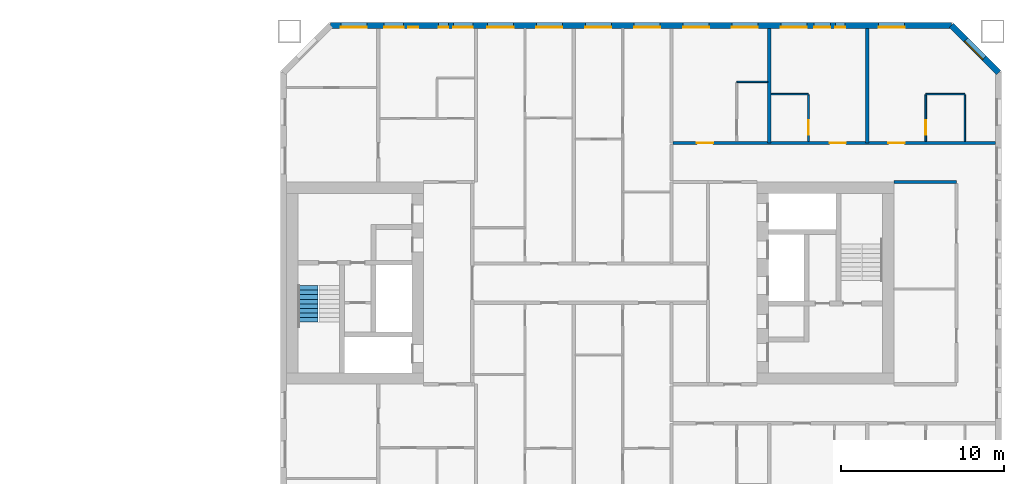
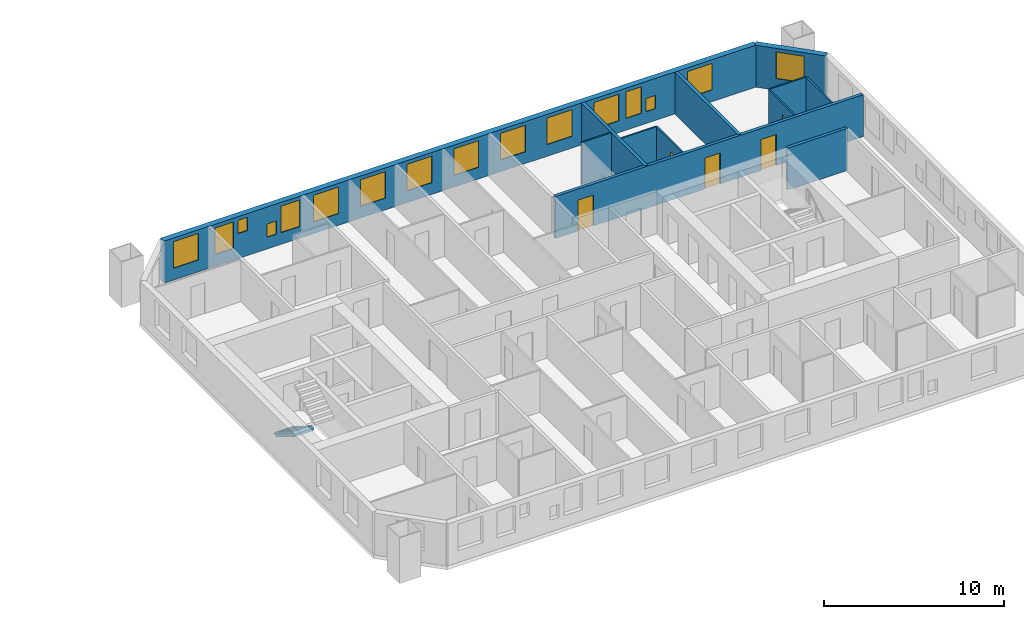
# One storey, part 14 of 17: 16 windows, 12 walls, 5 doors, 1 stair flight, 21 openings, 1 element without a shape of its own.
"""IFC4 building model written with IfcOpenShell, lengths in metres."""

from ifc_helpers import new_model, si_unit, direction, frame, frame_2d, origin, place, context, subcontext, project, spatial, polyline, rectangle, outline, extrude, material, layer, layer_set, type_object, element, fill, aggregate, save


model = new_model("IFC4")

# Units and contexts
model_context = context("Model", 3, precision=1e-05, world=origin(), true_north=direction((0.0, 1.0)))
body_context = subcontext(model_context, "Body", "Model", "MODEL_VIEW")
ifc_project = project(units=[si_unit("LENGTHUNIT", "METRE"), si_unit("AREAUNIT", "SQUARE_METRE"), si_unit("VOLUMEUNIT", "CUBIC_METRE"), si_unit("PLANEANGLEUNIT", "RADIAN"), si_unit("MASSUNIT", "GRAM", prefix="KILO")], contexts=[model_context])

# Site, building, storey
site_placement = place(None, origin())
site = spatial("IfcSite", under=ifc_project, at=site_placement, CompositionType="ELEMENT")
building_placement = place(site_placement, origin())
building = spatial("IfcBuilding", under=site, at=building_placement, Name="Tuart Gate Housing", CompositionType="ELEMENT")
storey_placement = place(building_placement, frame((0.0, 0.0, 74.699951171875)))
storey = spatial("IfcBuildingStorey", under=building, at=storey_placement, Name="L20", CompositionType="ELEMENT", Elevation=74.699951171875)

# Wall, opening, window
ifc_material_1 = material(Name="Brick", Category="masonry")
ifc_layer_1 = layer(ifc_material_1, 0.360107421875)
ifc_layer_set_1 = layer_set([ifc_layer_1], Name="Brick pier and spandrel wall 360")
wall_type_1 = type_object("IfcWallType", Name="Brick pier and spandrel wall 360", PredefinedType="STANDARD", material=ifc_layer_set_1)
wall_1_placement = place(storey_placement, frame((175.070068359375, 82.92529296875, 0.0), z_axis=(0.0, 0.0, 1.0), x_axis=(-0.707106781187, 0.707106781187, 0.0)))
wall_1 = element("IfcWall", 1, at=wall_1_placement, inside=storey, type_object=wall_type_1, Name="External wall B-NE L20", PredefinedType="STANDARD", context=body_context, shape_type="SweptSolid", body=[
    extrude(rectangle(XDim=4.09375, YDim=0.360107421875, at=frame_2d((2.046875, 0.0))), origin(), (0.0, 0.0, 1.0), 2.85009765625),
])
opening_1_placement = place(wall_1_placement, frame((1.2470703125, 0.0, 0.800048828125)))
opening_1 = element("IfcOpeningElement", 2, at=opening_1_placement, cuts=wall_1, Name="Opening W1", PredefinedType="OPENING", context=body_context, shape_type="SweptSolid", body=[
    extrude(rectangle(XDim=1.60009765625, YDim=1.800048828125, at=frame_2d((0.800048828125, 0.89990234375))), frame((0.0, 0.18994140625, 0.0), z_axis=(0.0, -1.0, 0.0), x_axis=(1.0, 0.0, 0.0)), (0.0, 0.0, 1.0), 0.380126953125),
])
ifc_material_2 = material(Name="Aluminium frame with clear glass", Category="aluminium")
window_type_1 = type_object("IfcWindowType", Name="Punched window 1600 x 1800", PartitioningType="SINGLE_PANEL", PredefinedType="WINDOW", material=ifc_material_2)
window_1_placement = place(opening_1_placement, origin())
window_1 = element("IfcWindow", 3, at=window_1_placement, inside=storey, type_object=window_type_1, Name="Window W1", OverallHeight=1.800048828125, OverallWidth=1.60009765625, PartitioningType="SINGLE_PANEL", PredefinedType="WINDOW", context=body_context, shape_type="SweptSolid", body=[
    extrude(rectangle(XDim=1.60009765625, YDim=1.800048828125, at=frame_2d((0.800048828125, 0.89990234375))), frame((0.0, 0.150146484375, 0.0), z_axis=(0.0, -1.0, 0.0), x_axis=(1.0, 0.0, 0.0)), (0.0, 0.0, 1.0), 0.06005859375),
])
fill(opening_1, window_1)

# Wall, openings, windows
wall_2_placement = place(storey_placement, frame((172.17529296875, 85.820068359375, 0.0), z_axis=(0.0, 0.0, 1.0), x_axis=(-1.0, 0.0, 0.0)))
wall_2 = element("IfcWall", 4, at=wall_2_placement, inside=storey, type_object=wall_type_1, Name="External wall B-N L20", PredefinedType="STANDARD", context=body_context, shape_type="SweptSolid", body=[
    extrude(rectangle(XDim=38.100830078125, YDim=0.360107421875, at=frame_2d((19.05029296875, 0.0))), origin(), (0.0, 0.0, 1.0), 2.85009765625),
])
opening_2_placement = place(wall_2_placement, frame((2.87548828125, 0.0, 0.800048828125)))
opening_2 = element("IfcOpeningElement", 5, at=opening_2_placement, cuts=wall_2, Name="Opening W1", PredefinedType="OPENING", context=body_context, shape_type="SweptSolid", body=[
    extrude(rectangle(XDim=1.60009765625, YDim=1.800048828125, at=frame_2d((0.800048828125, 0.89990234375))), frame((0.0, 0.18994140625, 0.0), z_axis=(0.0, -1.0, 0.0), x_axis=(1.0, 0.0, 0.0)), (0.0, 0.0, 1.0), 0.380126953125),
])
opening_3_placement = place(wall_2_placement, frame((6.525390625, 0.0, 0.800048828125)))
opening_3 = element("IfcOpeningElement", 6, at=opening_3_placement, cuts=wall_2, Name="Opening W1W", PredefinedType="OPENING", context=body_context, shape_type="SweptSolid", body=[
    extrude(rectangle(XDim=0.60009765625, YDim=0.89990234375, at=frame_2d((0.300048828125, 0.449951171875))), frame((0.0, 0.18994140625, 0.0), z_axis=(0.0, -1.0, 0.0), x_axis=(1.0, 0.0, 0.0)), (0.0, 0.0, 1.0), 0.380126953125),
])
opening_4_placement = place(wall_2_placement, frame((8.87548828125, 0.0, 0.800048828125)))
opening_4 = element("IfcOpeningElement", 7, at=opening_4_placement, cuts=wall_2, Name="Opening W1", PredefinedType="OPENING", context=body_context, shape_type="SweptSolid", body=[
    extrude(rectangle(XDim=1.60009765625, YDim=1.800048828125, at=frame_2d((0.800048828125, 0.89990234375))), frame((0.0, 0.18994140625, 0.0), z_axis=(0.0, -1.0, 0.0), x_axis=(1.0, 0.0, 0.0)), (0.0, 0.0, 1.0), 0.380126953125),
])
opening_5_placement = place(wall_2_placement, frame((11.87548828125, 0.0, 0.800048828125)))
opening_5 = element("IfcOpeningElement", 8, at=opening_5_placement, cuts=wall_2, Name="Opening W1", PredefinedType="OPENING", context=body_context, shape_type="SweptSolid", body=[
    extrude(rectangle(XDim=1.60009765625, YDim=1.800048828125, at=frame_2d((0.800048828125, 0.89990234375))), frame((0.0, 0.18994140625, 0.0), z_axis=(0.0, -1.0, 0.0), x_axis=(1.0, 0.0, 0.0)), (0.0, 0.0, 1.0), 0.380126953125),
])
opening_6_placement = place(wall_2_placement, frame((14.87548828125, 0.0, 0.800048828125)))
opening_6 = element("IfcOpeningElement", 9, at=opening_6_placement, cuts=wall_2, Name="Opening W1", PredefinedType="OPENING", context=body_context, shape_type="SweptSolid", body=[
    extrude(rectangle(XDim=1.60009765625, YDim=1.800048828125, at=frame_2d((0.800048828125, 0.89990234375))), frame((0.0, 0.18994140625, 0.0), z_axis=(0.0, -1.0, 0.0), x_axis=(1.0, 0.0, 0.0)), (0.0, 0.0, 1.0), 0.380126953125),
])
opening_7_placement = place(wall_2_placement, frame((17.87548828125, 0.0, 0.800048828125)))
opening_7 = element("IfcOpeningElement", 10, at=opening_7_placement, cuts=wall_2, Name="Opening W1", PredefinedType="OPENING", context=body_context, shape_type="SweptSolid", body=[
    extrude(rectangle(XDim=1.60009765625, YDim=1.800048828125, at=frame_2d((0.800048828125, 0.89990234375))), frame((0.0, 0.18994140625, 0.0), z_axis=(0.0, -1.0, 0.0), x_axis=(1.0, 0.0, 0.0)), (0.0, 0.0, 1.0), 0.380126953125),
])
opening_8_placement = place(wall_2_placement, frame((20.87548828125, 0.0, 0.800048828125)))
opening_8 = element("IfcOpeningElement", 11, at=opening_8_placement, cuts=wall_2, Name="Opening W1", PredefinedType="OPENING", context=body_context, shape_type="SweptSolid", body=[
    extrude(rectangle(XDim=1.60009765625, YDim=1.800048828125, at=frame_2d((0.800048828125, 0.89990234375))), frame((0.0, 0.18994140625, 0.0), z_axis=(0.0, -1.0, 0.0), x_axis=(1.0, 0.0, 0.0)), (0.0, 0.0, 1.0), 0.380126953125),
])
opening_9_placement = place(wall_2_placement, frame((23.87548828125, 0.0, 0.800048828125)))
opening_9 = element("IfcOpeningElement", 12, at=opening_9_placement, cuts=wall_2, Name="Opening W1", PredefinedType="OPENING", context=body_context, shape_type="SweptSolid", body=[
    extrude(rectangle(XDim=1.60009765625, YDim=1.800048828125, at=frame_2d((0.800048828125, 0.89990234375))), frame((0.0, 0.18994140625, 0.0), z_axis=(0.0, -1.0, 0.0), x_axis=(1.0, 0.0, 0.0)), (0.0, 0.0, 1.0), 0.380126953125),
])
opening_10_placement = place(wall_2_placement, frame((26.87548828125, 0.0, 0.800048828125)))
opening_10 = element("IfcOpeningElement", 13, at=opening_10_placement, cuts=wall_2, Name="Opening W1", PredefinedType="OPENING", context=body_context, shape_type="SweptSolid", body=[
    extrude(rectangle(XDim=1.60009765625, YDim=1.800048828125, at=frame_2d((0.800048828125, 0.89990234375))), frame((0.0, 0.18994140625, 0.0), z_axis=(0.0, -1.0, 0.0), x_axis=(1.0, 0.0, 0.0)), (0.0, 0.0, 1.0), 0.380126953125),
])
opening_11_placement = place(wall_2_placement, frame((29.37548828125, 0.0, 0.800048828125)))
opening_11 = element("IfcOpeningElement", 14, at=opening_11_placement, cuts=wall_2, Name="Opening W1B", PredefinedType="OPENING", context=body_context, shape_type="SweptSolid", body=[
    extrude(rectangle(XDim=1.199951171875, YDim=1.800048828125, at=frame_2d((0.60009765625, 0.89990234375))), frame((0.0, 0.18994140625, 0.0), z_axis=(0.0, -1.0, 0.0), x_axis=(1.0, 0.0, 0.0)), (0.0, 0.0, 1.0), 0.380126953125),
])
opening_12_placement = place(wall_2_placement, frame((30.87548828125, 0.0, 0.800048828125)))
opening_12 = element("IfcOpeningElement", 15, at=opening_12_placement, cuts=wall_2, Name="Opening W1W", PredefinedType="OPENING", context=body_context, shape_type="SweptSolid", body=[
    extrude(rectangle(XDim=0.60009765625, YDim=0.89990234375, at=frame_2d((0.300048828125, 0.449951171875))), frame((0.0, 0.18994140625, 0.0), z_axis=(0.0, -1.0, 0.0), x_axis=(1.0, 0.0, 0.0)), (0.0, 0.0, 1.0), 0.380126953125),
])
opening_13_placement = place(wall_2_placement, frame((35.87548828125, 0.0, 0.800048828125)))
opening_13 = element("IfcOpeningElement", 16, at=opening_13_placement, cuts=wall_2, Name="Opening W1", PredefinedType="OPENING", context=body_context, shape_type="SweptSolid", body=[
    extrude(rectangle(XDim=1.60009765625, YDim=1.800048828125, at=frame_2d((0.800048828125, 0.89990234375))), frame((0.0, 0.18994140625, 0.0), z_axis=(0.0, -1.0, 0.0), x_axis=(1.0, 0.0, 0.0)), (0.0, 0.0, 1.0), 0.380126953125),
])
opening_14_placement = place(wall_2_placement, frame((7.42529296875, 0.0, 0.800048828125)))
opening_14 = element("IfcOpeningElement", 17, at=opening_14_placement, cuts=wall_2, Name="Opening W1C", PredefinedType="OPENING", context=body_context, shape_type="SweptSolid", body=[
    extrude(rectangle(XDim=1.0, YDim=1.800048828125, at=frame_2d((0.5, 0.89990234375))), frame((0.0, 0.18994140625, 0.0), z_axis=(0.0, -1.0, 0.0), x_axis=(1.0, 0.0, 0.0)), (0.0, 0.0, 1.0), 0.380126953125),
])
opening_15_placement = place(wall_2_placement, frame((32.725341796875, 0.0, 1.699951171875)))
opening_15 = element("IfcOpeningElement", 18, at=opening_15_placement, cuts=wall_2, Name="Opening W1W", PredefinedType="OPENING", context=body_context, shape_type="SweptSolid", body=[
    extrude(rectangle(XDim=0.60009765625, YDim=0.89990234375, at=frame_2d((0.300048828125, 0.449951171875))), frame((0.0, 0.18994140625, 0.0), z_axis=(0.0, -1.0, 0.0), x_axis=(1.0, 0.0, 0.0)), (0.0, 0.0, 1.0), 0.380126953125),
])
opening_16_placement = place(wall_2_placement, frame((33.62548828125, 0.0, 0.800048828125)))
opening_16 = element("IfcOpeningElement", 19, at=opening_16_placement, cuts=wall_2, Name="Opening W1B", PredefinedType="OPENING", context=body_context, shape_type="SweptSolid", body=[
    extrude(rectangle(XDim=1.199951171875, YDim=1.800048828125, at=frame_2d((0.60009765625, 0.89990234375))), frame((0.0, 0.18994140625, 0.0), z_axis=(0.0, -1.0, 0.0), x_axis=(1.0, 0.0, 0.0)), (0.0, 0.0, 1.0), 0.380126953125),
])
ifc_material_3 = material(Name="Aluminium frame with clear glass", Category="aluminium")
window_type_2 = type_object("IfcWindowType", Name="Punched window 1000 x 1800", PartitioningType="SINGLE_PANEL", PredefinedType="WINDOW", material=ifc_material_3)
window_2_placement = place(opening_14_placement, origin())
window_2 = element("IfcWindow", 20, at=window_2_placement, inside=storey, type_object=window_type_2, Name="Window W1C", OverallHeight=1.800048828125, OverallWidth=1.0, PartitioningType="SINGLE_PANEL", PredefinedType="WINDOW", context=body_context, shape_type="SweptSolid", body=[
    extrude(rectangle(XDim=1.0, YDim=1.800048828125, at=frame_2d((0.5, 0.89990234375))), frame((0.0, 0.150146484375, 0.0), z_axis=(0.0, -1.0, 0.0), x_axis=(1.0, 0.0, 0.0)), (0.0, 0.0, 1.0), 0.06005859375),
])
fill(opening_14, window_2)
ifc_material_4 = material(Name="Aluminium frame with clear glass", Category="aluminium")
window_type_3 = type_object("IfcWindowType", Name="Punched window 1200 x 1800", PartitioningType="SINGLE_PANEL", PredefinedType="WINDOW", material=ifc_material_4)
window_3_placement = place(opening_11_placement, origin())
window_3 = element("IfcWindow", 21, at=window_3_placement, inside=storey, type_object=window_type_3, Name="Window W1B", OverallHeight=1.800048828125, OverallWidth=1.199951171875, PartitioningType="SINGLE_PANEL", PredefinedType="WINDOW", context=body_context, shape_type="SweptSolid", body=[
    extrude(rectangle(XDim=1.199951171875, YDim=1.800048828125, at=frame_2d((0.60009765625, 0.89990234375))), frame((0.0, 0.150146484375, 0.0), z_axis=(0.0, -1.0, 0.0), x_axis=(1.0, 0.0, 0.0)), (0.0, 0.0, 1.0), 0.06005859375),
])
fill(opening_11, window_3)
window_4_placement = place(opening_16_placement, origin())
window_4 = element("IfcWindow", 22, at=window_4_placement, inside=storey, type_object=window_type_3, Name="Window W1B", OverallHeight=1.800048828125, OverallWidth=1.199951171875, PartitioningType="SINGLE_PANEL", PredefinedType="WINDOW", context=body_context, shape_type="SweptSolid", body=[
    extrude(rectangle(XDim=1.199951171875, YDim=1.800048828125, at=frame_2d((0.60009765625, 0.89990234375))), frame((0.0, 0.150146484375, 0.0), z_axis=(0.0, -1.0, 0.0), x_axis=(1.0, 0.0, 0.0)), (0.0, 0.0, 1.0), 0.06005859375),
])
fill(opening_16, window_4)
window_5_placement = place(opening_2_placement, origin())
window_5 = element("IfcWindow", 23, at=window_5_placement, inside=storey, type_object=window_type_1, Name="Window W1", OverallHeight=1.800048828125, OverallWidth=1.60009765625, PartitioningType="SINGLE_PANEL", PredefinedType="WINDOW", context=body_context, shape_type="SweptSolid", body=[
    extrude(rectangle(XDim=1.60009765625, YDim=1.800048828125, at=frame_2d((0.800048828125, 0.89990234375))), frame((0.0, 0.150146484375, 0.0), z_axis=(0.0, -1.0, 0.0), x_axis=(1.0, 0.0, 0.0)), (0.0, 0.0, 1.0), 0.06005859375),
])
fill(opening_2, window_5)
window_6_placement = place(opening_4_placement, origin())
window_6 = element("IfcWindow", 24, at=window_6_placement, inside=storey, type_object=window_type_1, Name="Window W1", OverallHeight=1.800048828125, OverallWidth=1.60009765625, PartitioningType="SINGLE_PANEL", PredefinedType="WINDOW", context=body_context, shape_type="SweptSolid", body=[
    extrude(rectangle(XDim=1.60009765625, YDim=1.800048828125, at=frame_2d((0.800048828125, 0.89990234375))), frame((0.0, 0.150146484375, 0.0), z_axis=(0.0, -1.0, 0.0), x_axis=(1.0, 0.0, 0.0)), (0.0, 0.0, 1.0), 0.06005859375),
])
fill(opening_4, window_6)
window_7_placement = place(opening_5_placement, origin())
window_7 = element("IfcWindow", 25, at=window_7_placement, inside=storey, type_object=window_type_1, Name="Window W1", OverallHeight=1.800048828125, OverallWidth=1.60009765625, PartitioningType="SINGLE_PANEL", PredefinedType="WINDOW", context=body_context, shape_type="SweptSolid", body=[
    extrude(rectangle(XDim=1.60009765625, YDim=1.800048828125, at=frame_2d((0.800048828125, 0.89990234375))), frame((0.0, 0.150146484375, 0.0), z_axis=(0.0, -1.0, 0.0), x_axis=(1.0, 0.0, 0.0)), (0.0, 0.0, 1.0), 0.06005859375),
])
fill(opening_5, window_7)
window_8_placement = place(opening_6_placement, origin())
window_8 = element("IfcWindow", 26, at=window_8_placement, inside=storey, type_object=window_type_1, Name="Window W1", OverallHeight=1.800048828125, OverallWidth=1.60009765625, PartitioningType="SINGLE_PANEL", PredefinedType="WINDOW", context=body_context, shape_type="SweptSolid", body=[
    extrude(rectangle(XDim=1.60009765625, YDim=1.800048828125, at=frame_2d((0.800048828125, 0.89990234375))), frame((0.0, 0.150146484375, 0.0), z_axis=(0.0, -1.0, 0.0), x_axis=(1.0, 0.0, 0.0)), (0.0, 0.0, 1.0), 0.06005859375),
])
fill(opening_6, window_8)
window_9_placement = place(opening_7_placement, origin())
window_9 = element("IfcWindow", 27, at=window_9_placement, inside=storey, type_object=window_type_1, Name="Window W1", OverallHeight=1.800048828125, OverallWidth=1.60009765625, PartitioningType="SINGLE_PANEL", PredefinedType="WINDOW", context=body_context, shape_type="SweptSolid", body=[
    extrude(rectangle(XDim=1.60009765625, YDim=1.800048828125, at=frame_2d((0.800048828125, 0.89990234375))), frame((0.0, 0.150146484375, 0.0), z_axis=(0.0, -1.0, 0.0), x_axis=(1.0, 0.0, 0.0)), (0.0, 0.0, 1.0), 0.06005859375),
])
fill(opening_7, window_9)
window_10_placement = place(opening_8_placement, origin())
window_10 = element("IfcWindow", 28, at=window_10_placement, inside=storey, type_object=window_type_1, Name="Window W1", OverallHeight=1.800048828125, OverallWidth=1.60009765625, PartitioningType="SINGLE_PANEL", PredefinedType="WINDOW", context=body_context, shape_type="SweptSolid", body=[
    extrude(rectangle(XDim=1.60009765625, YDim=1.800048828125, at=frame_2d((0.800048828125, 0.89990234375))), frame((0.0, 0.150146484375, 0.0), z_axis=(0.0, -1.0, 0.0), x_axis=(1.0, 0.0, 0.0)), (0.0, 0.0, 1.0), 0.06005859375),
])
fill(opening_8, window_10)
window_11_placement = place(opening_9_placement, origin())
window_11 = element("IfcWindow", 29, at=window_11_placement, inside=storey, type_object=window_type_1, Name="Window W1", OverallHeight=1.800048828125, OverallWidth=1.60009765625, PartitioningType="SINGLE_PANEL", PredefinedType="WINDOW", context=body_context, shape_type="SweptSolid", body=[
    extrude(rectangle(XDim=1.60009765625, YDim=1.800048828125, at=frame_2d((0.800048828125, 0.89990234375))), frame((0.0, 0.150146484375, 0.0), z_axis=(0.0, -1.0, 0.0), x_axis=(1.0, 0.0, 0.0)), (0.0, 0.0, 1.0), 0.06005859375),
])
fill(opening_9, window_11)
window_12_placement = place(opening_10_placement, origin())
window_12 = element("IfcWindow", 30, at=window_12_placement, inside=storey, type_object=window_type_1, Name="Window W1", OverallHeight=1.800048828125, OverallWidth=1.60009765625, PartitioningType="SINGLE_PANEL", PredefinedType="WINDOW", context=body_context, shape_type="SweptSolid", body=[
    extrude(rectangle(XDim=1.60009765625, YDim=1.800048828125, at=frame_2d((0.800048828125, 0.89990234375))), frame((0.0, 0.150146484375, 0.0), z_axis=(0.0, -1.0, 0.0), x_axis=(1.0, 0.0, 0.0)), (0.0, 0.0, 1.0), 0.06005859375),
])
fill(opening_10, window_12)
window_13_placement = place(opening_13_placement, origin())
window_13 = element("IfcWindow", 31, at=window_13_placement, inside=storey, type_object=window_type_1, Name="Window W1", OverallHeight=1.800048828125, OverallWidth=1.60009765625, PartitioningType="SINGLE_PANEL", PredefinedType="WINDOW", context=body_context, shape_type="SweptSolid", body=[
    extrude(rectangle(XDim=1.60009765625, YDim=1.800048828125, at=frame_2d((0.800048828125, 0.89990234375))), frame((0.0, 0.150146484375, 0.0), z_axis=(0.0, -1.0, 0.0), x_axis=(1.0, 0.0, 0.0)), (0.0, 0.0, 1.0), 0.06005859375),
])
fill(opening_13, window_13)
ifc_material_5 = material(Name="Aluminium frame with clear glass", Category="aluminium")
window_type_4 = type_object("IfcWindowType", Name="Punched window 600 x 900", PartitioningType="SINGLE_PANEL", PredefinedType="WINDOW", material=ifc_material_5)
window_14_placement = place(opening_3_placement, origin())
window_14 = element("IfcWindow", 32, at=window_14_placement, inside=storey, type_object=window_type_4, Name="Window W1W", OverallHeight=0.89990234375, OverallWidth=0.60009765625, PartitioningType="SINGLE_PANEL", PredefinedType="WINDOW", context=body_context, shape_type="SweptSolid", body=[
    extrude(rectangle(XDim=0.60009765625, YDim=0.89990234375, at=frame_2d((0.300048828125, 0.449951171875))), frame((0.0, 0.150146484375, 0.0), z_axis=(0.0, -1.0, 0.0), x_axis=(1.0, 0.0, 0.0)), (0.0, 0.0, 1.0), 0.06005859375),
])
fill(opening_3, window_14)
window_15_placement = place(opening_12_placement, origin())
window_15 = element("IfcWindow", 33, at=window_15_placement, inside=storey, type_object=window_type_4, Name="Window W1W", OverallHeight=0.89990234375, OverallWidth=0.60009765625, PartitioningType="SINGLE_PANEL", PredefinedType="WINDOW", context=body_context, shape_type="SweptSolid", body=[
    extrude(rectangle(XDim=0.60009765625, YDim=0.89990234375, at=frame_2d((0.300048828125, 0.449951171875))), frame((0.0, 0.150146484375, 0.0), z_axis=(0.0, -1.0, 0.0), x_axis=(1.0, 0.0, 0.0)), (0.0, 0.0, 1.0), 0.06005859375),
])
fill(opening_12, window_15)
window_16_placement = place(opening_15_placement, origin())
window_16 = element("IfcWindow", 34, at=window_16_placement, inside=storey, type_object=window_type_4, Name="Window W1W", OverallHeight=0.89990234375, OverallWidth=0.60009765625, PartitioningType="SINGLE_PANEL", PredefinedType="WINDOW", context=body_context, shape_type="SweptSolid", body=[
    extrude(rectangle(XDim=0.60009765625, YDim=0.89990234375, at=frame_2d((0.300048828125, 0.449951171875))), frame((0.0, 0.150146484375, 0.0), z_axis=(0.0, -1.0, 0.0), x_axis=(1.0, 0.0, 0.0)), (0.0, 0.0, 1.0), 0.06005859375),
])
fill(opening_15, window_16)

# Wall
ifc_material_6 = material(Name="Concrete masonry 15 MPa", Category="masonry")
ifc_layer_2 = layer(ifc_material_6, 0.199951171875)
ifc_layer_set_2 = layer_set([ifc_layer_2], Name="Corridor wall masonry 200")
wall_type_2 = type_object("IfcWallType", Name="Corridor wall masonry 200", PredefinedType="PARTITIONING", material=ifc_layer_set_2)
wall_3_placement = place(storey_placement, frame((168.639892578125, 76.199951171875, 0.0), z_axis=(0.0, 0.0, 1.0), x_axis=(1.0, 0.0, 0.0)))
element("IfcWall", 35, at=wall_3_placement, inside=storey, type_object=wall_type_2, Name="Corridor wall masonry 200", PredefinedType="PARTITIONING", context=body_context, shape_type="SweptSolid", body=[
    extrude(rectangle(XDim=3.85009765625, YDim=0.199951171875, at=frame_2d((1.925048828125, 0.0))), origin(), (0.0, 0.0, 1.0), 2.85009765625),
])

# Wall, openings, doors
wall_4_placement = place(storey_placement, frame((155.10009765625, 78.60009765625, 0.0), z_axis=(0.0, 0.0, 1.0), x_axis=(1.0, 0.0, 0.0)))
wall_4 = element("IfcWall", 36, at=wall_4_placement, inside=storey, type_object=wall_type_2, Name="Corridor wall masonry 200", PredefinedType="PARTITIONING", context=body_context, shape_type="SweptSolid", body=[
    extrude(rectangle(XDim=19.789794921875, YDim=0.199951171875, at=frame_2d((9.89501953125, 0.0))), origin(), (0.0, 0.0, 1.0), 2.85009765625),
])
opening_17_placement = place(wall_4_placement, frame((1.449951171875, 0.0, 0.0)))
opening_17 = element("IfcOpeningElement", 37, at=opening_17_placement, cuts=wall_4, Name="Opening D906", PredefinedType="OPENING", context=body_context, shape_type="SweptSolid", body=[
    extrude(rectangle(XDim=1.0, YDim=2.10009765625, at=frame_2d((0.5, 1.050048828125))), frame((0.0, 0.10986328125, 0.0), z_axis=(0.0, -1.0, 0.0), x_axis=(1.0, 0.0, 0.0)), (0.0, 0.0, 1.0), 0.219970703125),
])
opening_18_placement = place(wall_4_placement, frame((9.60009765625, 0.0, 0.0)))
opening_18 = element("IfcOpeningElement", 38, at=opening_18_placement, cuts=wall_4, Name="Opening D907", PredefinedType="OPENING", context=body_context, shape_type="SweptSolid", body=[
    extrude(rectangle(XDim=1.0, YDim=2.10009765625, at=frame_2d((0.5, 1.050048828125))), frame((0.0, 0.10986328125, 0.0), z_axis=(0.0, -1.0, 0.0), x_axis=(1.0, 0.0, 0.0)), (0.0, 0.0, 1.0), 0.219970703125),
])
opening_19_placement = place(wall_4_placement, frame((13.199951171875, 0.0, 0.0)))
opening_19 = element("IfcOpeningElement", 39, at=opening_19_placement, cuts=wall_4, Name="Opening D908", PredefinedType="OPENING", context=body_context, shape_type="SweptSolid", body=[
    extrude(rectangle(XDim=1.0, YDim=2.10009765625, at=frame_2d((0.5, 1.050048828125))), frame((0.0, 0.10986328125, 0.0), z_axis=(0.0, -1.0, 0.0), x_axis=(1.0, 0.0, 0.0)), (0.0, 0.0, 1.0), 0.219970703125),
])
ifc_material_7 = material(Name="Timber door leaf in steel frame", Category="steel")
door_type_1 = type_object("IfcDoorType", Name="Flat entrance door 1000", OperationType="SINGLE_SWING_LEFT", PredefinedType="DOOR", material=ifc_material_7)
door_1_placement = place(opening_18_placement, origin())
door_1 = element("IfcDoor", 40, at=door_1_placement, inside=storey, type_object=door_type_1, Name="Flat entrance door", OperationType="SINGLE_SWING_LEFT", OverallHeight=2.10009765625, OverallWidth=1.0, PredefinedType="DOOR", context=body_context, shape_type="SweptSolid", body=[
    extrude(rectangle(XDim=1.0, YDim=2.10009765625, at=frame_2d((0.5, 1.050048828125))), frame((0.0, 0.02490234375, 0.0), z_axis=(0.0, -1.0, 0.0), x_axis=(1.0, 0.0, 0.0)), (0.0, 0.0, 1.0), 0.050048828125),
])
fill(opening_18, door_1)
door_2_placement = place(opening_19_placement, origin())
door_2 = element("IfcDoor", 41, at=door_2_placement, inside=storey, type_object=door_type_1, Name="Flat entrance door", OperationType="SINGLE_SWING_LEFT", OverallHeight=2.10009765625, OverallWidth=1.0, PredefinedType="DOOR", context=body_context, shape_type="SweptSolid", body=[
    extrude(rectangle(XDim=1.0, YDim=2.10009765625, at=frame_2d((0.5, 1.050048828125))), frame((0.0, 0.02490234375, 0.0), z_axis=(0.0, -1.0, 0.0), x_axis=(1.0, 0.0, 0.0)), (0.0, 0.0, 1.0), 0.050048828125),
])
fill(opening_19, door_2)
ifc_material_8 = material(Name="Timber door leaf in steel frame", Category="steel")
door_type_2 = type_object("IfcDoorType", Name="Flat entrance door 1000 RH", OperationType="SINGLE_SWING_RIGHT", PredefinedType="DOOR", material=ifc_material_8)
door_3_placement = place(opening_17_placement, origin())
door_3 = element("IfcDoor", 42, at=door_3_placement, inside=storey, type_object=door_type_2, Name="Flat entrance door", OperationType="SINGLE_SWING_RIGHT", OverallHeight=2.10009765625, OverallWidth=1.0, PredefinedType="DOOR", context=body_context, shape_type="SweptSolid", body=[
    extrude(rectangle(XDim=1.0, YDim=2.10009765625, at=frame_2d((0.5, 1.050048828125))), frame((0.0, 0.02490234375, 0.0), z_axis=(0.0, -1.0, 0.0), x_axis=(1.0, 0.0, 0.0)), (0.0, 0.0, 1.0), 0.050048828125),
])
fill(opening_17, door_3)

# Walls
ifc_material_9 = material(Name="Gypsum board on steel studs", Category="steel")
ifc_layer_3 = layer(ifc_material_9, 0.10009765625)
ifc_layer_set_3 = layer_set([ifc_layer_3], Name="Partition 100")
wall_type_3 = type_object("IfcWallType", Name="Partition 100", PredefinedType="PARTITIONING", material=ifc_layer_set_3)
wall_5_placement = place(storey_placement, frame((161.10009765625, 81.60009765625, 0.0), z_axis=(0.0, 0.0, 1.0), x_axis=(1.0, 0.0, 0.0)))
element("IfcWall", 43, at=wall_5_placement, inside=storey, type_object=wall_type_3, Name="Partition 100", PredefinedType="PARTITIONING", context=body_context, shape_type="SweptSolid", body=[
    extrude(rectangle(XDim=2.2998046875, YDim=0.10009765625, at=frame_2d((1.14990234375, 0.0))), origin(), (0.0, 0.0, 1.0), 2.85009765625),
])
wall_6_placement = place(storey_placement, frame((170.60009765625, 81.60009765625, 0.0), z_axis=(0.0, 0.0, 1.0), x_axis=(1.0, 0.0, 0.0)))
element("IfcWall", 44, at=wall_6_placement, inside=storey, type_object=wall_type_3, Name="Partition 100", PredefinedType="PARTITIONING", context=body_context, shape_type="SweptSolid", body=[
    extrude(rectangle(XDim=2.39990234375, YDim=0.10009765625, at=frame_2d((1.199951171875, 0.0))), origin(), (0.0, 0.0, 1.0), 2.85009765625),
])
wall_7_placement = place(storey_placement, frame((159.0, 82.35009765625, 0.0), z_axis=(0.0, 0.0, 1.0), x_axis=(1.0, 0.0, 0.0)))
element("IfcWall", 45, at=wall_7_placement, inside=storey, type_object=wall_type_3, Name="Partition 100", PredefinedType="PARTITIONING", context=body_context, shape_type="SweptSolid", body=[
    extrude(rectangle(XDim=1.89990234375, YDim=0.10009765625, at=frame_2d((0.949951171875, 0.0))), origin(), (0.0, 0.0, 1.0), 2.85009765625),
])

# Wall, opening, door
wall_8_placement = place(storey_placement, frame((163.39990234375, 78.699951171875, 0.0), z_axis=(0.0, 0.0, 1.0), x_axis=(0.0, 1.0, 0.0)))
wall_8 = element("IfcWall", 46, at=wall_8_placement, inside=storey, type_object=wall_type_3, Name="Partition 100", PredefinedType="PARTITIONING", context=body_context, shape_type="SweptSolid", body=[
    extrude(rectangle(XDim=2.85009765625, YDim=0.10009765625, at=frame_2d((1.425048828125, 0.0))), origin(), (0.0, 0.0, 1.0), 2.85009765625),
])
opening_20_placement = place(wall_8_placement, frame((0.39990234375, 0.0, 0.0)))
opening_20 = element("IfcOpeningElement", 47, at=opening_20_placement, cuts=wall_8, Name="Opening D901", PredefinedType="OPENING", context=body_context, shape_type="SweptSolid", body=[
    extrude(rectangle(XDim=0.89990234375, YDim=2.10009765625, at=frame_2d((0.449951171875, 1.050048828125))), frame((0.0, 0.06005859375, 0.0), z_axis=(0.0, -1.0, 0.0), x_axis=(1.0, 0.0, 0.0)), (0.0, 0.0, 1.0), 0.1201171875),
])
ifc_material_10 = material(Name="Timber door leaf in steel frame", Category="steel")
door_type_3 = type_object("IfcDoorType", Name="Bathroom door 900", OperationType="SINGLE_SWING_LEFT", PredefinedType="DOOR", material=ifc_material_10)
door_4_placement = place(opening_20_placement, origin())
door_4 = element("IfcDoor", 48, at=door_4_placement, inside=storey, type_object=door_type_3, Name="Bathroom door", OperationType="SINGLE_SWING_LEFT", OverallHeight=2.10009765625, OverallWidth=0.89990234375, PredefinedType="DOOR", context=body_context, shape_type="SweptSolid", body=[
    extrude(rectangle(XDim=0.89990234375, YDim=2.10009765625, at=frame_2d((0.449951171875, 1.050048828125))), frame((0.0, 0.02490234375, 0.0), z_axis=(0.0, -1.0, 0.0), x_axis=(1.0, 0.0, 0.0)), (0.0, 0.0, 1.0), 0.050048828125),
])
fill(opening_20, door_4)

wall_9_placement = place(storey_placement, frame((170.60009765625, 78.699951171875, 0.0), z_axis=(0.0, 0.0, 1.0), x_axis=(0.0, 1.0, 0.0)))
wall_9 = element("IfcWall", 49, at=wall_9_placement, inside=storey, type_object=wall_type_3, Name="Partition 100", PredefinedType="PARTITIONING", context=body_context, shape_type="SweptSolid", body=[
    extrude(rectangle(XDim=2.85009765625, YDim=0.10009765625, at=frame_2d((1.425048828125, 0.0))), origin(), (0.0, 0.0, 1.0), 2.85009765625),
])
opening_21_placement = place(wall_9_placement, frame((0.39990234375, 0.0, 0.0)))
opening_21 = element("IfcOpeningElement", 50, at=opening_21_placement, cuts=wall_9, Name="Opening D902", PredefinedType="OPENING", context=body_context, shape_type="SweptSolid", body=[
    extrude(rectangle(XDim=0.89990234375, YDim=2.10009765625, at=frame_2d((0.449951171875, 1.050048828125))), frame((0.0, 0.06005859375, 0.0), z_axis=(0.0, -1.0, 0.0), x_axis=(1.0, 0.0, 0.0)), (0.0, 0.0, 1.0), 0.1201171875),
])
ifc_material_11 = material(Name="Timber door leaf in steel frame", Category="steel")
door_type_4 = type_object("IfcDoorType", Name="Bathroom door 900 RH", OperationType="SINGLE_SWING_RIGHT", PredefinedType="DOOR", material=ifc_material_11)
door_5_placement = place(opening_21_placement, frame((0.89990234375, 0.0, 0.0), z_axis=(0.0, 0.0, 1.0), x_axis=(-1.0, 0.0, 0.0)))
door_5 = element("IfcDoor", 51, at=door_5_placement, inside=storey, type_object=door_type_4, Name="Bathroom door", OperationType="SINGLE_SWING_RIGHT", OverallHeight=2.10009765625, OverallWidth=0.89990234375, PredefinedType="DOOR", context=body_context, shape_type="SweptSolid", body=[
    extrude(rectangle(XDim=0.89990234375, YDim=2.10009765625, at=frame_2d((0.449951171875, 1.050048828125))), frame((0.0, 0.025146484375, 0.0), z_axis=(0.0, -1.0, 0.0), x_axis=(1.0, 0.0, 0.0)), (0.0, 0.0, 1.0), 0.050048828125),
])
fill(opening_21, door_5)

# Walls
wall_10_placement = place(storey_placement, frame((173.0, 78.699951171875, 0.0), z_axis=(0.0, 0.0, 1.0), x_axis=(0.0, 1.0, 0.0)))
element("IfcWall", 52, at=wall_10_placement, inside=storey, type_object=wall_type_3, Name="Partition 100", PredefinedType="PARTITIONING", context=body_context, shape_type="SweptSolid", body=[
    extrude(rectangle(XDim=2.85009765625, YDim=0.10009765625, at=frame_2d((1.425048828125, 0.0))), origin(), (0.0, 0.0, 1.0), 2.85009765625),
])
ifc_material_12 = material(Name="Concrete C40", Category="concrete")
ifc_layer_4 = layer(ifc_material_12, 0.199951171875)
ifc_layer_set_4 = layer_set([ifc_layer_4], Name="Party wall concrete C40 200")
wall_type_4 = type_object("IfcWallType", Name="Party wall concrete C40 200", PredefinedType="SOLIDWALL", material=ifc_layer_set_4)
for number, where, z_axis, x_axis, name in (
    (53, (161.0, 78.60009765625, 0.0), (0.0, 0.0, 1.0), (0.0, 1.0, 0.0), "Party wall concrete C40 200"),
    (54, (167.0, 78.60009765625, 0.0), (0.0, 0.0, 1.0), (0.0, 1.0, 0.0), "Party wall concrete C40 200"),
):
    element("IfcWall", number, at=place(storey_placement, frame(where, z_axis=z_axis, x_axis=x_axis)), inside=storey, type_object=wall_type_4, Name=name, PredefinedType="SOLIDWALL", context=body_context, shape_type="SweptSolid", body=[
        extrude(rectangle(XDim=7.039794921875, YDim=0.199951171875, at=frame_2d((3.52001953125, 0.0))), origin(), (0.0, 0.0, 1.0), 2.85009765625),
    ])

# Stair, stair flight
ifc_material_13 = material(Name="Concrete C40", Category="concrete")
stair_type = type_object("IfcStairType", Name="Core stair 1250", PredefinedType="HALF_TURN_STAIR", material=ifc_material_13)
stair_placement = place(storey_placement, origin())
stair = element("IfcStair", 55, at=stair_placement, inside=storey, type_object=stair_type, Name="Stair SB1", PredefinedType="HALF_TURN_STAIR")
ifc_material_14 = material(Name="Concrete C40", Category="concrete")
stair_flight_type = type_object("IfcStairFlightType", Name="Stair flight 1250, 9 risers 172 x 280", PredefinedType="STRAIGHT", material=ifc_material_14)
stair_flight_placement = place(storey_placement, frame((132.68505859375, 69.85009765625, 0.0), z_axis=(0.0, 0.0, 1.0), x_axis=(0.0, -1.0, 0.0)))
stair_flight = element("IfcStairFlight", 56, at=stair_flight_placement, type_object=stair_flight_type, Name="SB1 flight 1", NumberOfRisers=9, NumberOfTreads=8, PredefinedType="STRAIGHT", RiserHeight=0.172222222, TreadLength=0.28, context=body_context, shape_type="SweptSolid", body=[
    extrude(outline(polyline([(0.0, 0.0), (0.0, 0.172119140625), (0.280029296875, 0.172119140625), (0.280029296875, 0.344482421875), (0.56005859375, 0.344482421875), (0.56005859375, 0.5166015625), (0.840087890625, 0.5166015625), (0.840087890625, 0.68896484375), (1.1201171875, 0.68896484375), (1.1201171875, 0.861083984375), (1.39990234375, 0.861083984375), (1.39990234375, 1.033447265625), (1.679931640625, 1.033447265625), (1.679931640625, 1.20556640625), (1.9599609375, 1.20556640625), (1.9599609375, 1.377685546875), (2.239990234375, 1.377685546875), (2.239990234375, 1.550048828125), (2.239990234375, 1.201904296875), (0.2861328125, 0.0), (0.0, 0.0)])), frame((0.0, 0.625, 0.0), z_axis=(0.0, -1.0, 0.0), x_axis=(1.0, 0.0, 0.0)), (0.0, 0.0, 1.0), 1.25),
])
aggregate(stair, [stair_flight])

save(model, "model.ifc")
